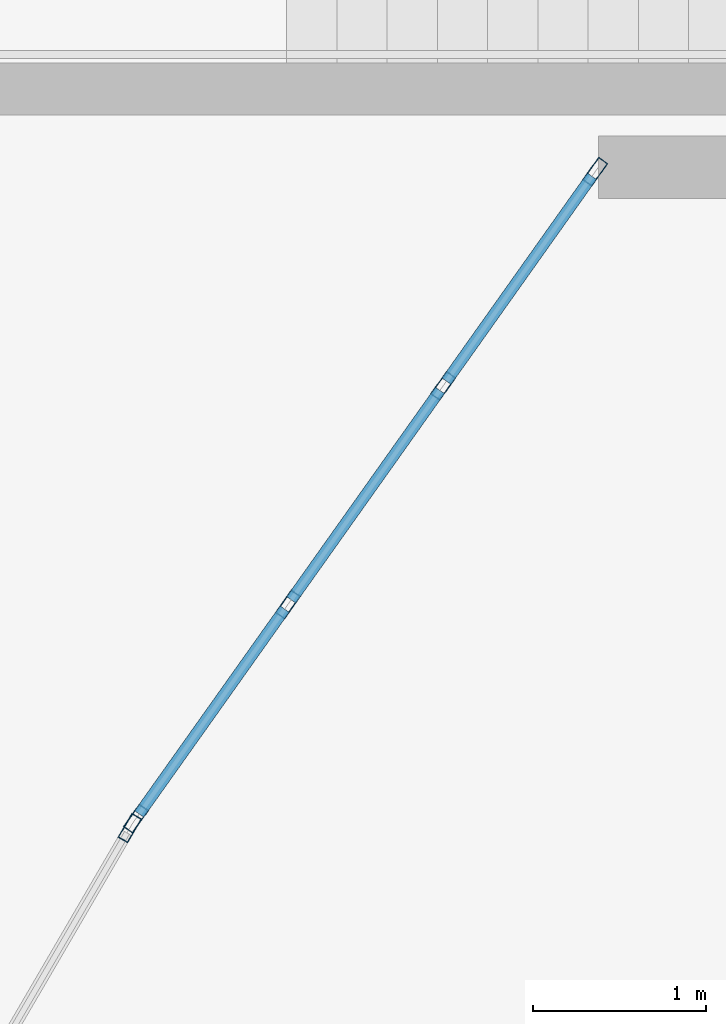
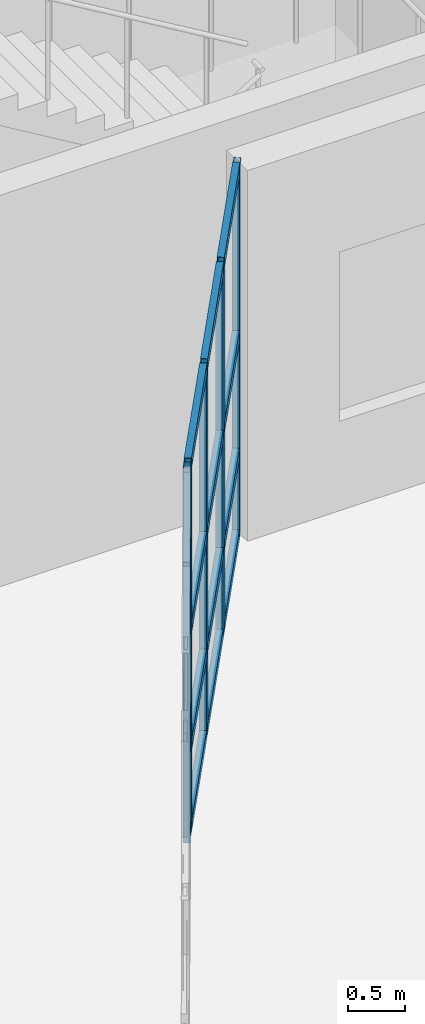
# One storey, part 27 of 114: 17 members, 2 elements without a shape of their own.
"""IFC4 building model written with IfcOpenShell, lengths in metres."""

import ifcopenshell
import ifcopenshell.guid

model = None  # the IFC model being written
_history = None  # IfcOwnerHistory: only IFC2X3 demands one
_inside = {}  # id of a spatial element -> (the spatial element, [elements in it])
_under = {}  # id of a project, library or spatial element -> (it, [spatial elements below it])
_declared = {}  # id of a project -> (the project, [libraries it declares])
_typed = {}  # id of a type object -> (the type object, [elements of that type])
_made_of = {}  # id of a material, layer set ... -> (it, [elements and type objects made of it])


def new_model(schema):
    """Start an empty IFC model of exactly this schema.

    Asked for "IFC4X3", IfcOpenShell would pick the latest addendum, in which some entities
    have other attributes; the version numbers below select the first issue.
    IFC2X3 requires an IfcOwnerHistory on every rooted entity: one is made here for all.
    """
    global model, _history
    if schema == "IFC4X3":
        model = ifcopenshell.file(schema_version=(4, 3, 0, 0))
    else:
        model = ifcopenshell.file(schema=schema)
    _inside.clear()
    _under.clear()
    _declared.clear()
    _typed.clear()
    _made_of.clear()
    _history = None
    if model.schema == "IFC2X3":
        org = make("IfcOrganization", Name="unknown")
        user = make(
            "IfcPersonAndOrganization",
            ThePerson=make("IfcPerson", FamilyName="unknown"),
            TheOrganization=org,
        )
        app = make(
            "IfcApplication",
            ApplicationDeveloper=org,
            Version="unknown",
            ApplicationFullName="unknown",
            ApplicationIdentifier="unknown",
        )
        _history = make(
            "IfcOwnerHistory",
            OwningUser=user,
            OwningApplication=app,
            ChangeAction="ADDED",
            CreationDate=0,
        )
    return model


def make(cls, **values):
    """One entity of the class cls with the attributes given. An attribute that is None is left unset."""
    return model.create_entity(
        cls, **{name: value for name, value in values.items() if value is not None}
    )


def rooted(cls, **values):
    """An entity with a GlobalId (a new one), such as an element, a storey or a relation."""
    return make(cls, GlobalId=ifcopenshell.guid.new(), OwnerHistory=_history, **values)


def si_unit(unit_type, name, prefix=None):
    """IfcSIUnit, for example si_unit("LENGTHUNIT", "METRE", prefix="MILLI")."""
    return make("IfcSIUnit", UnitType=unit_type, Prefix=prefix, Name=name)


def assignment(units):
    """IfcUnitAssignment: the units of a project."""
    return None if units is None else make("IfcUnitAssignment", Units=units)


def point(xyz):
    """IfcCartesianPoint."""
    return None if xyz is None else make("IfcCartesianPoint", Coordinates=xyz)


def direction(xyz):
    """IfcDirection."""
    return None if xyz is None else make("IfcDirection", DirectionRatios=xyz)


def frame(location, z_axis=None, x_axis=None):
    """IfcAxis2Placement3D, a coordinate frame: its origin and axes. An axis left out is left unset."""
    return make(
        "IfcAxis2Placement3D",
        Location=point(location),
        Axis=direction(z_axis),
        RefDirection=direction(x_axis),
    )


def frame_2d(location, x_axis=None):
    """IfcAxis2Placement2D, a coordinate frame in the plane: its origin and x axis."""
    return make(
        "IfcAxis2Placement2D", Location=point(location), RefDirection=direction(x_axis)
    )


def origin():
    """The frame at (0, 0, 0) with its axes left unset."""
    return frame((0.0, 0.0, 0.0))


def origin_2d():
    """The frame at (0, 0) in the plane with its x axis left unset."""
    return frame_2d((0.0, 0.0))


def place(relative_to, where):
    """IfcLocalPlacement: puts the frame where relative to a parent placement (None: the world)."""
    return make(
        "IfcLocalPlacement", PlacementRelTo=relative_to, RelativePlacement=where
    )


def context(
    kind, dimensions, precision=None, world=None, true_north=None, identifier=None
):
    """IfcGeometricRepresentationContext, for example the 3D "Model" context."""
    return make(
        "IfcGeometricRepresentationContext",
        ContextIdentifier=identifier,
        ContextType=kind,
        CoordinateSpaceDimension=dimensions,
        Precision=precision,
        WorldCoordinateSystem=world,
        TrueNorth=true_north,
    )


def subcontext(parent, identifier, kind, view, scale=None):
    """IfcGeometricRepresentationSubContext, for example "Body" below "Model"."""
    return make(
        "IfcGeometricRepresentationSubContext",
        ContextIdentifier=identifier,
        ContextType=kind,
        ParentContext=parent,
        TargetScale=scale,
        TargetView=view,
    )


def project(units=None, contexts=None):
    """IfcProject with its units and contexts."""
    return rooted(
        "IfcProject",
        Name="project",
        RepresentationContexts=contexts,
        UnitsInContext=assignment(units),
    )


def spatial(cls, under=None, at=None, **own):
    """A site, building, storey or space (cls), placed at a placement, below another one or the project."""
    s = rooted(cls, ObjectPlacement=at, **own)
    if under is not None:
        _under.setdefault(under.id(), (under, []))[1].append(s)
    return s


def profile(cls, at=None, kind="AREA", **sizes):
    """A parametric profile (cls). Its sizes go by their IFC names, for example OverallWidth=200.0."""
    return make(cls, ProfileType=kind, Position=at, **sizes)


def hollow_rectangle(**sizes):
    """IfcRectangleHollowProfileDef."""
    return profile("IfcRectangleHollowProfileDef", **sizes)


def extrude(swept, where, along, depth):
    """IfcExtrudedAreaSolid: the profile swept, set in the frame where, extruded along a direction by depth."""
    return make(
        "IfcExtrudedAreaSolid",
        SweptArea=swept,
        Position=where,
        ExtrudedDirection=direction(along),
        Depth=depth,
    )


def shape(context_of_items, identifier, shape_type, items):
    """IfcShapeRepresentation: the items that make up one representation, for example the "Body"."""
    return make(
        "IfcShapeRepresentation",
        ContextOfItems=context_of_items,
        RepresentationIdentifier=identifier,
        RepresentationType=shape_type,
        Items=items,
    )


def material(Name=None, Category=None):
    """IfcMaterial."""
    return make("IfcMaterial", Name=Name, Category=Category)


def layer(
    of_material, thickness, ventilated=None, Name=None, Category=None, Priority=None
):
    """IfcMaterialLayer: one layer of a wall or slab, of a material (None: an air gap)."""
    return make(
        "IfcMaterialLayer",
        Material=of_material,
        LayerThickness=thickness,
        IsVentilated=ventilated,
        Name=Name,
        Category=Category,
        Priority=Priority,
    )


def layer_set(layers, Name=None):
    """IfcMaterialLayerSet."""
    return make("IfcMaterialLayerSet", MaterialLayers=layers, LayerSetName=Name)


def material_profile(
    of_material, cross_section, Name=None, Category=None, Priority=None
):
    """IfcMaterialProfile: a cross section and its material."""
    return make(
        "IfcMaterialProfile",
        Name=Name,
        Material=of_material,
        Profile=cross_section,
        Priority=Priority,
        Category=Category,
    )


def profile_set(profiles, Name=None, composite=None):
    """IfcMaterialProfileSet."""
    return make(
        "IfcMaterialProfileSet",
        Name=Name,
        MaterialProfiles=profiles,
        CompositeProfile=composite,
    )


def made_of(thing, what):
    """Note that an element or type object is made of a material, layer set ...; save() writes the relation."""
    if what is not None:
        _made_of.setdefault(what.id(), (what, []))[1].append(thing)
    return thing


def type_object(cls, material=None, **own):
    """A type object (cls), such as IfcWallType, which elements share."""
    return made_of(rooted(cls, **own), material)


def element(
    cls,
    number,
    at=None,
    inside=None,
    cuts=None,
    type_object=None,
    material=None,
    context=None,
    identifier="Body",
    shape_type=None,
    held_by="IfcProductDefinitionShape",
    body=None,
    shapes=None,
    **own,
):
    """One element of the class cls, such as IfcWall. Its Tag is "e" and its number.

    at: its placement. inside: the storey or other place that contains it. cuts: it is an
    opening in that element (IfcRelVoidsElement). A single representation is given by context,
    identifier, shape_type and body (its items); several are given by shapes. held_by: the class
    of the entity that holds the representations. save() writes the other relations.
    """
    e = rooted(cls, Tag="e%d" % number, ObjectPlacement=at, **own)
    if body is not None:
        shapes = [shape(context, identifier, shape_type, body)]
    if shapes is not None:
        e.Representation = make(held_by, Representations=shapes)
    if inside is not None:
        _inside.setdefault(inside.id(), (inside, []))[1].append(e)
    if cuts is not None:
        rooted(
            "IfcRelVoidsElement", RelatingBuildingElement=cuts, RelatedOpeningElement=e
        )
    if type_object is not None:
        _typed.setdefault(type_object.id(), (type_object, []))[1].append(e)
    return made_of(e, material)


def aggregate(whole, parts):
    """IfcRelAggregates: a whole, such as a stair, and the parts it consists of."""
    return rooted("IfcRelAggregates", RelatingObject=whole, RelatedObjects=parts)


def save(model, path):
    """Write the relations noted so far, then the file.

    IfcRelAggregates (storeys below a building ...), IfcRelContainedInSpatialStructure (elements
    in a storey), IfcRelDefinesByType, IfcRelAssociatesMaterial and IfcRelDeclares: one each for
    every whole, place, type object, material and project.
    """
    for whole, parts in _under.values():
        aggregate(whole, parts)
    for where, things in _inside.values():
        rooted(
            "IfcRelContainedInSpatialStructure",
            RelatedElements=things,
            RelatingStructure=where,
        )
    for kind, things in _typed.values():
        rooted("IfcRelDefinesByType", RelatedObjects=things, RelatingType=kind)
    for what, things in _made_of.values():
        rooted("IfcRelAssociatesMaterial", RelatedObjects=things, RelatingMaterial=what)
    for by, libraries in _declared.values():
        rooted("IfcRelDeclares", RelatingContext=by, RelatedDefinitions=libraries)
    model.write(path)


model = new_model("IFC4")

# Units and contexts
model_context = context("Model", 3, precision=1e-05, world=origin(), true_north=direction((0.0, 1.0)))
body_context = subcontext(model_context, "Body", "Model", "MODEL_VIEW")
ifc_project = project(units=[si_unit("LENGTHUNIT", "METRE"), si_unit("AREAUNIT", "SQUARE_METRE"), si_unit("VOLUMEUNIT", "CUBIC_METRE"), si_unit("PLANEANGLEUNIT", "RADIAN"), si_unit("MASSUNIT", "GRAM", prefix="KILO")], contexts=[model_context])

# Site, building, storey
site_placement = place(None, origin())
site = spatial("IfcSite", under=ifc_project, at=site_placement, CompositionType="ELEMENT")
building_placement = place(site_placement, origin())
building = spatial("IfcBuilding", under=site, at=building_placement, Name="Keldmere Railside Commons", CompositionType="ELEMENT")
storey_placement = place(building_placement, origin())
storey = spatial("IfcBuildingStorey", under=building, at=storey_placement, Name="L00", CompositionType="ELEMENT", Elevation=0.0)

# Curtain wall, member
ifc_material = material(Name="Thermally Broken Aluminium", Category="aluminium")
ifc_layer_1 = layer(ifc_material, 0.159912109375, Name="Residential Lounge Frontage CW 4600x3600")
ifc_layer_set_1 = layer_set([ifc_layer_1], Name="Thermally Broken Aluminium")
curtain_wall_type_1 = type_object("IfcCurtainWallType", Name="Residential Lounge Frontage CW 4600x3600", PredefinedType="NOTDEFINED", material=ifc_layer_set_1)
curtain_wall_1_placement = place(storey_placement, origin())
curtain_wall_1 = element("IfcCurtainWall", 1, at=curtain_wall_1_placement, inside=storey, type_object=curtain_wall_type_1, Name="CW-11 CW-L00-002", PredefinedType="NOTDEFINED")
ifc_material_profile_1 = material_profile(ifc_material, hollow_rectangle(XDim=0.06494140625, YDim=0.159912109375, WallThickness=0.00390625, at=origin_2d()), Name="ALU-MULL-65x160")
ifc_profile_set_1 = profile_set([ifc_material_profile_1], Name="Thermally Broken Aluminium")
member_type_1 = type_object("IfcMemberType", Name="Unitised Curtain Wall Mullion 65x160", PredefinedType="MULLION", material=ifc_profile_set_1)
member_1_placement = place(storey_placement, frame((28.295654296875, 96.18603515625, 0.0), z_axis=(0.0, 0.0, 1.0), x_axis=(0.86375546846, -0.503911193272, 0.0)))
member_1 = element("IfcMember", 2, at=member_1_placement, type_object=member_type_1, Name="CW-11 mullion 1", PredefinedType="MULLION", context=body_context, shape_type="SweptSolid", body=[
    extrude(hollow_rectangle(XDim=0.06494140625, YDim=0.159912109375, WallThickness=0.00390625, at=origin_2d()), origin(), (0.0, 0.0, 1.0), 3.93994140625),
])
aggregate(curtain_wall_1, [member_1])

# Curtain wall, members
ifc_layer_2 = layer(ifc_material, 0.159912109375, Name="Residential Ground Entrance Lobby CW 4000x3600")
ifc_layer_set_2 = layer_set([ifc_layer_2], Name="Thermally Broken Aluminium")
curtain_wall_type_2 = type_object("IfcCurtainWallType", Name="Residential Ground Entrance Lobby CW 4000x3600", PredefinedType="NOTDEFINED", material=ifc_layer_set_2)
curtain_wall_2_placement = place(storey_placement, origin())
curtain_wall_2 = element("IfcCurtainWall", 3, at=curtain_wall_2_placement, inside=storey, type_object=curtain_wall_type_2, Name="CW-10 CW-L00-003", PredefinedType="NOTDEFINED")
member_2_placement = place(storey_placement, frame((30.981201171875, 99.973388671875, 0.0), z_axis=(0.0, 0.0, 1.0), x_axis=(0.815389084395, -0.578913327753, 0.0)))
member_2 = element("IfcMember", 4, at=member_2_placement, type_object=member_type_1, Name="CW-10 mullion 1", PredefinedType="MULLION", context=body_context, shape_type="SweptSolid", body=[
    extrude(hollow_rectangle(XDim=0.06494140625, YDim=0.159912109375, WallThickness=0.00390625, at=origin_2d()), origin(), (0.0, 0.0, 1.0), 3.93994140625),
])
member_3_placement = place(storey_placement, frame((30.10400390625, 98.738037109375, 0.0), z_axis=(0.0, 0.0, 1.0), x_axis=(0.815389084395, -0.578913327753, 0.0)))
member_3 = element("IfcMember", 5, at=member_3_placement, type_object=member_type_1, Name="CW-10 mullion 2", PredefinedType="MULLION", context=body_context, shape_type="SweptSolid", body=[
    extrude(hollow_rectangle(XDim=0.06494140625, YDim=0.159912109375, WallThickness=0.00390625, at=origin_2d()), origin(), (0.0, 0.0, 1.0), 3.93994140625),
])
member_4_placement = place(storey_placement, frame((29.2080078125, 97.47607421875, 0.0), z_axis=(0.0, 0.0, 1.0), x_axis=(0.815389084395, -0.578913327753, 0.0)))
member_4 = element("IfcMember", 6, at=member_4_placement, type_object=member_type_1, Name="CW-10 mullion 3", PredefinedType="MULLION", context=body_context, shape_type="SweptSolid", body=[
    extrude(hollow_rectangle(XDim=0.06494140625, YDim=0.159912109375, WallThickness=0.00390625, at=origin_2d()), origin(), (0.0, 0.0, 1.0), 3.93994140625),
])
member_5_placement = place(storey_placement, frame((28.330810546875, 96.240478515625, 0.0), z_axis=(0.0, 0.0, 1.0), x_axis=(0.815389084395, -0.578913327753, 0.0)))
member_5 = element("IfcMember", 7, at=member_5_placement, type_object=member_type_1, Name="CW-10 mullion 4", PredefinedType="MULLION", context=body_context, shape_type="SweptSolid", body=[
    extrude(hollow_rectangle(XDim=0.06494140625, YDim=0.159912109375, WallThickness=0.00390625, at=origin_2d()), origin(), (0.0, 0.0, 1.0), 3.93994140625),
])
ifc_material_profile_2 = material_profile(ifc_material, hollow_rectangle(XDim=0.06494140625, YDim=0.1201171875, WallThickness=0.00390625, at=origin_2d()), Name="ALU-TRAN-65x120")
ifc_profile_set_2 = profile_set([ifc_material_profile_2], Name="Thermally Broken Aluminium")
member_type_2 = type_object("IfcMemberType", Name="Unitised Curtain Wall Transom 65x120", PredefinedType="USERDEFINED", material=ifc_profile_set_2)
member_6_placement = place(storey_placement, frame((30.96240234375, 99.947021484375, 0.032470703125), z_axis=(-0.578895059002, -0.815402054611, 0.0), x_axis=(0.815402054611, -0.578895059002, 0.0)))
member_6 = element("IfcMember", 8, at=member_6_placement, type_object=member_type_2, Name="CW-10 transom 1.1", ObjectType="TRANSOM", PredefinedType="USERDEFINED", context=body_context, shape_type="SweptSolid", body=[
    extrude(hollow_rectangle(XDim=0.06494140625, YDim=0.1201171875, WallThickness=0.00390625, at=origin_2d()), origin(), (0.0, 0.0, 1.0), 1.450439453125),
])
member_7_placement = place(storey_placement, frame((30.96240234375, 99.947021484375, 0.89990234375), z_axis=(-0.578895059002, -0.815402054611, 0.0), x_axis=(0.815402054611, -0.578895059002, 0.0)))
member_7 = element("IfcMember", 9, at=member_7_placement, type_object=member_type_2, Name="CW-10 transom 1.2", ObjectType="TRANSOM", PredefinedType="USERDEFINED", context=body_context, shape_type="SweptSolid", body=[
    extrude(hollow_rectangle(XDim=0.06494140625, YDim=0.1201171875, WallThickness=0.00390625, at=origin_2d()), origin(), (0.0, 0.0, 1.0), 1.450439453125),
])
member_8_placement = place(storey_placement, frame((30.96240234375, 99.947021484375, 2.14990234375), z_axis=(-0.578895059002, -0.815402054611, 0.0), x_axis=(0.815402054611, -0.578895059002, 0.0)))
member_8 = element("IfcMember", 10, at=member_8_placement, type_object=member_type_2, Name="CW-10 transom 1.3", ObjectType="TRANSOM", PredefinedType="USERDEFINED", context=body_context, shape_type="SweptSolid", body=[
    extrude(hollow_rectangle(XDim=0.06494140625, YDim=0.1201171875, WallThickness=0.00390625, at=origin_2d()), origin(), (0.0, 0.0, 1.0), 1.450439453125),
])
member_9_placement = place(storey_placement, frame((30.96240234375, 99.947021484375, 3.907470703125), z_axis=(-0.578895059002, -0.815402054611, 0.0), x_axis=(0.815402054611, -0.578895059002, 0.0)))
member_9 = element("IfcMember", 11, at=member_9_placement, type_object=member_type_2, Name="CW-10 transom 1.4", ObjectType="TRANSOM", PredefinedType="USERDEFINED", context=body_context, shape_type="SweptSolid", body=[
    extrude(hollow_rectangle(XDim=0.06494140625, YDim=0.1201171875, WallThickness=0.00390625, at=origin_2d()), origin(), (0.0, 0.0, 1.0), 1.450439453125),
])
member_10_placement = place(storey_placement, frame((30.085205078125, 98.71142578125, 0.032470703125), z_axis=(-0.578930676765, -0.815376766593, 0.0), x_axis=(0.815376766593, -0.578930676765, 0.0)))
member_10 = element("IfcMember", 12, at=member_10_placement, type_object=member_type_2, Name="CW-10 transom 2.1", ObjectType="TRANSOM", PredefinedType="USERDEFINED", context=body_context, shape_type="SweptSolid", body=[
    extrude(hollow_rectangle(XDim=0.06494140625, YDim=0.1201171875, WallThickness=0.00390625, at=origin_2d()), origin(), (0.0, 0.0, 1.0), 1.482666015625),
])
member_11_placement = place(storey_placement, frame((30.085205078125, 98.71142578125, 0.89990234375), z_axis=(-0.578930676765, -0.815376766593, 0.0), x_axis=(0.815376766593, -0.578930676765, 0.0)))
member_11 = element("IfcMember", 13, at=member_11_placement, type_object=member_type_2, Name="CW-10 transom 2.2", ObjectType="TRANSOM", PredefinedType="USERDEFINED", context=body_context, shape_type="SweptSolid", body=[
    extrude(hollow_rectangle(XDim=0.06494140625, YDim=0.1201171875, WallThickness=0.00390625, at=origin_2d()), origin(), (0.0, 0.0, 1.0), 1.482666015625),
])
member_12_placement = place(storey_placement, frame((30.085205078125, 98.71142578125, 2.14990234375), z_axis=(-0.578930676765, -0.815376766593, 0.0), x_axis=(0.815376766593, -0.578930676765, 0.0)))
member_12 = element("IfcMember", 14, at=member_12_placement, type_object=member_type_2, Name="CW-10 transom 2.3", ObjectType="TRANSOM", PredefinedType="USERDEFINED", context=body_context, shape_type="SweptSolid", body=[
    extrude(hollow_rectangle(XDim=0.06494140625, YDim=0.1201171875, WallThickness=0.00390625, at=origin_2d()), origin(), (0.0, 0.0, 1.0), 1.482666015625),
])
member_13_placement = place(storey_placement, frame((30.085205078125, 98.71142578125, 3.907470703125), z_axis=(-0.578930676765, -0.815376766593, 0.0), x_axis=(0.815376766593, -0.578930676765, 0.0)))
member_13 = element("IfcMember", 15, at=member_13_placement, type_object=member_type_2, Name="CW-10 transom 2.4", ObjectType="TRANSOM", PredefinedType="USERDEFINED", context=body_context, shape_type="SweptSolid", body=[
    extrude(hollow_rectangle(XDim=0.06494140625, YDim=0.1201171875, WallThickness=0.00390625, at=origin_2d()), origin(), (0.0, 0.0, 1.0), 1.482666015625),
])
member_14_placement = place(storey_placement, frame((29.189208984375, 97.449462890625, 0.032470703125), z_axis=(-0.578974525468, -0.815345631533, 0.0), x_axis=(0.815345631533, -0.578974525468, 0.0)))
member_14 = element("IfcMember", 16, at=member_14_placement, type_object=member_type_2, Name="CW-10 transom 3.1", ObjectType="TRANSOM", PredefinedType="USERDEFINED", context=body_context, shape_type="SweptSolid", body=[
    extrude(hollow_rectangle(XDim=0.06494140625, YDim=0.1201171875, WallThickness=0.00390625, at=origin_2d()), origin(), (0.0, 0.0, 1.0), 1.4501953125),
])
member_15_placement = place(storey_placement, frame((29.189208984375, 97.449462890625, 0.89990234375), z_axis=(-0.578974525468, -0.815345631533, 0.0), x_axis=(0.815345631533, -0.578974525468, 0.0)))
member_15 = element("IfcMember", 17, at=member_15_placement, type_object=member_type_2, Name="CW-10 transom 3.2", ObjectType="TRANSOM", PredefinedType="USERDEFINED", context=body_context, shape_type="SweptSolid", body=[
    extrude(hollow_rectangle(XDim=0.06494140625, YDim=0.1201171875, WallThickness=0.00390625, at=origin_2d()), origin(), (0.0, 0.0, 1.0), 1.4501953125),
])
member_16_placement = place(storey_placement, frame((29.189208984375, 97.449462890625, 2.14990234375), z_axis=(-0.578974525468, -0.815345631533, 0.0), x_axis=(0.815345631533, -0.578974525468, 0.0)))
member_16 = element("IfcMember", 18, at=member_16_placement, type_object=member_type_2, Name="CW-10 transom 3.3", ObjectType="TRANSOM", PredefinedType="USERDEFINED", context=body_context, shape_type="SweptSolid", body=[
    extrude(hollow_rectangle(XDim=0.06494140625, YDim=0.1201171875, WallThickness=0.00390625, at=origin_2d()), origin(), (0.0, 0.0, 1.0), 1.4501953125),
])
member_17_placement = place(storey_placement, frame((29.189208984375, 97.449462890625, 3.907470703125), z_axis=(-0.578974525468, -0.815345631533, 0.0), x_axis=(0.815345631533, -0.578974525468, 0.0)))
member_17 = element("IfcMember", 19, at=member_17_placement, type_object=member_type_2, Name="CW-10 transom 3.4", ObjectType="TRANSOM", PredefinedType="USERDEFINED", context=body_context, shape_type="SweptSolid", body=[
    extrude(hollow_rectangle(XDim=0.06494140625, YDim=0.1201171875, WallThickness=0.00390625, at=origin_2d()), origin(), (0.0, 0.0, 1.0), 1.4501953125),
])
aggregate(curtain_wall_2, [member_2, member_3, member_4, member_5, member_6, member_7, member_8, member_9, member_10, member_11, member_12, member_13, member_14, member_15, member_16, member_17])

save(model, "model.ifc")
